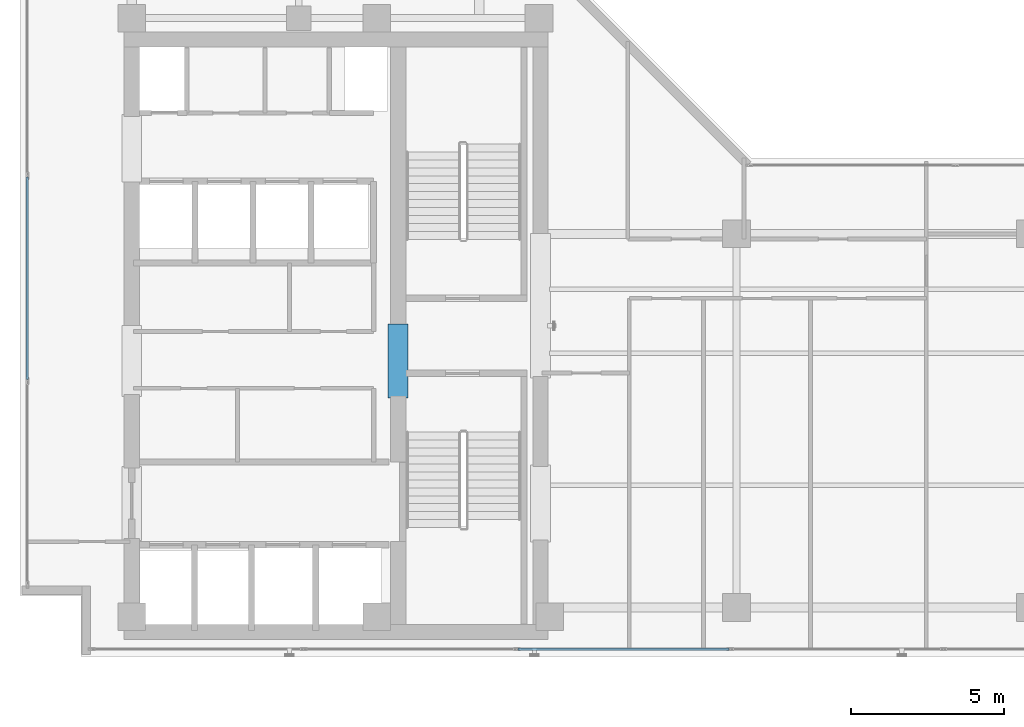
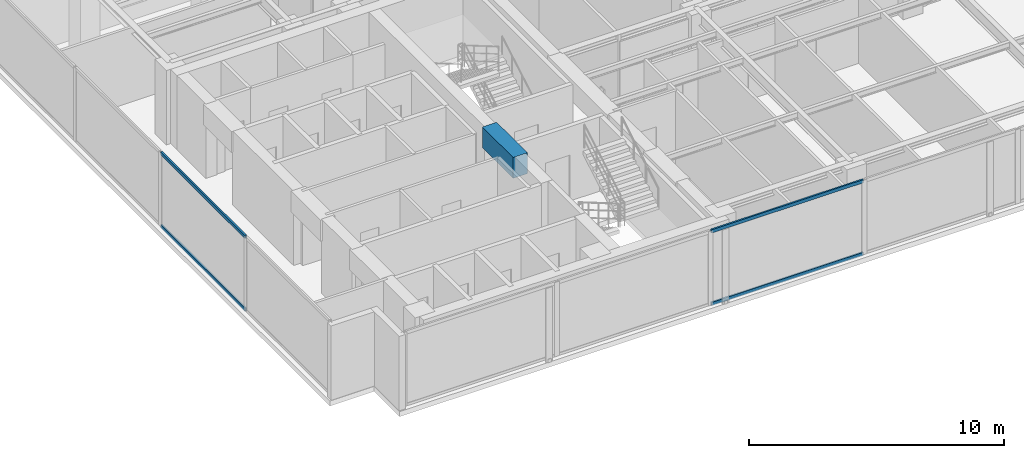
# One storey, part 3 of 23: 4 members, 1 beam, 2 elements without a shape of their own.
"""IFC4 building model written with IfcOpenShell, lengths in metres."""

from ifc_helpers import new_model, si_unit, direction, frame, origin, origin_with_axes, origin_2d, place, context, subcontext, project, spatial, rectangle, hollow_rectangle, extrude, source, transform, mapped, material, layer, layer_set, material_profile, profile_set, type_object, element, aggregate, save


model = new_model("IFC4")

# Units and contexts
model_context = context("Model", 3, precision=1e-05, world=origin(), true_north=direction((0.0, 1.0)))
body_context = subcontext(model_context, "Body", "Model", "MODEL_VIEW")
ifc_project = project(units=[si_unit("LENGTHUNIT", "METRE"), si_unit("AREAUNIT", "SQUARE_METRE"), si_unit("VOLUMEUNIT", "CUBIC_METRE"), si_unit("PLANEANGLEUNIT", "RADIAN"), si_unit("MASSUNIT", "GRAM", prefix="KILO")], contexts=[model_context])

# Site, building, storey
site_placement = place(None, origin())
site = spatial("IfcSite", under=ifc_project, at=site_placement, CompositionType="ELEMENT")
building_placement = place(site_placement, origin())
building = spatial("IfcBuilding", under=site, at=building_placement, Name="Kolvaren Waterfront Exchange", CompositionType="ELEMENT")
storey_placement = place(building_placement, frame((0.0, 0.0, 304.60009765625)))
storey = spatial("IfcBuildingStorey", under=building, at=storey_placement, Name="L78", CompositionType="ELEMENT", Elevation=304.60009765625)

# Beam
ifc_material_1 = material(Name="Concrete C60/75", Category="concrete")
ifc_material_profile_1 = material_profile(ifc_material_1, rectangle(XDim=0.64990234375, YDim=1.0, at=origin_2d()), Name="RC-CB-1000x650")
ifc_profile_set_1 = profile_set([ifc_material_profile_1], Name="Concrete C60/75")
beam_type = type_object("IfcBeamType", Name="STR-CB-1000", PredefinedType="SPANDREL", material=ifc_profile_set_1)
beam_placement = place(storey_placement, frame((16.14990234375, 12.0400390625, 3.059814453125), z_axis=(0.0, 1.0, 0.0), x_axis=(-1.0, 0.0, 0.0)))
element("IfcBeam", 1, at=beam_placement, inside=storey, type_object=beam_type, Name="L78 core coupling beam 6", PredefinedType="SPANDREL", context=body_context, shape_type="SweptSolid", body=[
    extrude(rectangle(XDim=0.64990234375, YDim=1.0, at=origin_2d()), origin(), (0.0, 0.0, 1.0), 2.419921875),
])

# Curtain wall, members
ifc_material_2 = material(Name="Anodised bronze aluminium 6063-T6", Category="aluminium")
ifc_layer_1 = layer(ifc_material_2, 0.219970703125, Name="Anodised bronze aluminium 6063-T6")
ifc_layer_set_1 = layer_set([ifc_layer_1], Name="Anodised bronze aluminium 6063-T6")
curtain_wall_type_1 = type_object("IfcCurtainWallType", Name="ARC-CW-SYS1", PredefinedType="USERDEFINED", material=ifc_layer_set_1)
curtain_wall_1_placement = place(storey_placement, origin())
curtain_wall_1 = element("IfcCurtainWall", 2, at=curtain_wall_1_placement, inside=storey, type_object=curtain_wall_type_1, Name="L78 stick curtain wall CW1 (CW-L78-S)", ObjectType="STICK CURTAIN WALL", PredefinedType="USERDEFINED")
ifc_material_3 = material(Name="Anodised aluminium 6063-T6", Category="aluminium")
ifc_material_profile_2 = material_profile(ifc_material_3, hollow_rectangle(XDim=0.074951171875, YDim=0.159912109375, WallThickness=0.00439453125, at=origin_2d()), Name="ALU-TRN-160x75x4.5")
ifc_profile_set_2 = profile_set([ifc_material_profile_2], Name="Anodised aluminium 6063-T6")
member_type = type_object("IfcMemberType", Name="ARC-CWT-160", PredefinedType="USERDEFINED", material=ifc_profile_set_2)
shared_shape_1 = source(origin_with_axes(), body_context, "Body", "SweptSolid", [
    extrude(hollow_rectangle(XDim=0.074951171875, YDim=0.159912109375, WallThickness=0.00439453125, at=origin_2d()), origin(), (0.0, 0.0, 1.0), 6.8857421875),
])
member_1_placement = place(storey_placement, frame((20.071533203125, 3.840087890625, 0.037353515625), z_axis=(1.0, 0.0, 0.0), x_axis=(0.0, 1.0, 0.0)))
member_1 = element("IfcMember", 3, at=member_1_placement, type_object=member_type, Name="CW1 transom 3.1", ObjectType="TRANSOM", PredefinedType="USERDEFINED", context=body_context, shape_type="MappedRepresentation", body=[
    mapped(shared_shape_1, transform((0.0, 0.0, 0.0), x_axis=(1.0, 0.0, 0.0), y_axis=(0.0, 1.0, 0.0), z_axis=(0.0, 0.0, 1.0), scale=1.0)),
])
member_2_placement = place(storey_placement, frame((20.071533203125, 3.840087890625, 3.5224609375), z_axis=(1.0, 0.0, 0.0), x_axis=(0.0, 1.0, 0.0)))
member_2 = element("IfcMember", 4, at=member_2_placement, type_object=member_type, Name="CW1 transom 3.2", ObjectType="TRANSOM", PredefinedType="USERDEFINED", context=body_context, shape_type="MappedRepresentation", body=[
    mapped(shared_shape_1, transform((0.0, 0.0, 0.0), x_axis=(1.0, 0.0, 0.0), y_axis=(0.0, 1.0, 0.0), z_axis=(0.0, 0.0, 1.0), scale=1.0)),
])
aggregate(curtain_wall_1, [member_1, member_2])

ifc_layer_2 = layer(ifc_material_3, 0.219970703125, Name="Anodised aluminium 6063-T6")
ifc_layer_set_2 = layer_set([ifc_layer_2], Name="Anodised aluminium 6063-T6")
curtain_wall_type_2 = type_object("IfcCurtainWallType", Name="ARC-CW-SYS2", PredefinedType="USERDEFINED", material=ifc_layer_set_2)
curtain_wall_2_placement = place(storey_placement, origin())
curtain_wall_2 = element("IfcCurtainWall", 5, at=curtain_wall_2_placement, inside=storey, type_object=curtain_wall_type_2, Name="L78 stick curtain wall CW2 (CW-L78-W)", ObjectType="STICK CURTAIN WALL", PredefinedType="USERDEFINED")
shared_shape_2 = source(origin_with_axes(), body_context, "Body", "SweptSolid", [
    extrude(hollow_rectangle(XDim=0.074951171875, YDim=0.159912109375, WallThickness=0.00439453125, at=origin_2d()), origin(), (0.0, 0.0, 1.0), 6.619140625),
])
member_3_placement = place(storey_placement, frame((4.0400390625, 12.63916015625, 0.037353515625), z_axis=(0.0, 1.0, 0.0), x_axis=(-1.0, 0.0, 0.0)))
member_3 = element("IfcMember", 6, at=member_3_placement, type_object=member_type, Name="CW2 transom 2.1", ObjectType="TRANSOM", PredefinedType="USERDEFINED", context=body_context, shape_type="MappedRepresentation", body=[
    mapped(shared_shape_2, transform((0.0, 0.0, 0.0), x_axis=(1.0, 0.0, 0.0), y_axis=(0.0, 1.0, 0.0), z_axis=(0.0, 0.0, 1.0), scale=1.0)),
])
member_4_placement = place(storey_placement, frame((4.0400390625, 12.63916015625, 3.5224609375), z_axis=(0.0, 1.0, 0.0), x_axis=(-1.0, 0.0, 0.0)))
member_4 = element("IfcMember", 7, at=member_4_placement, type_object=member_type, Name="CW2 transom 2.2", ObjectType="TRANSOM", PredefinedType="USERDEFINED", context=body_context, shape_type="MappedRepresentation", body=[
    mapped(shared_shape_2, transform((0.0, 0.0, 0.0), x_axis=(1.0, 0.0, 0.0), y_axis=(0.0, 1.0, 0.0), z_axis=(0.0, 0.0, 1.0), scale=1.0)),
])
aggregate(curtain_wall_2, [member_3, member_4])

save(model, "model.ifc")
